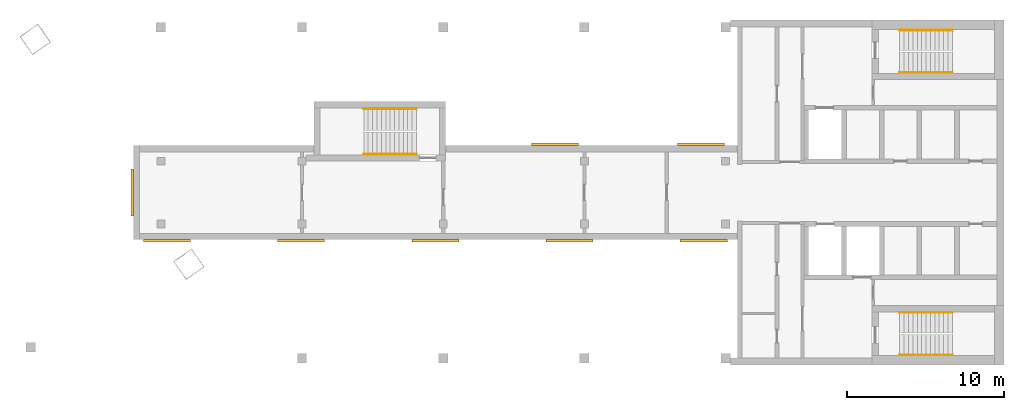
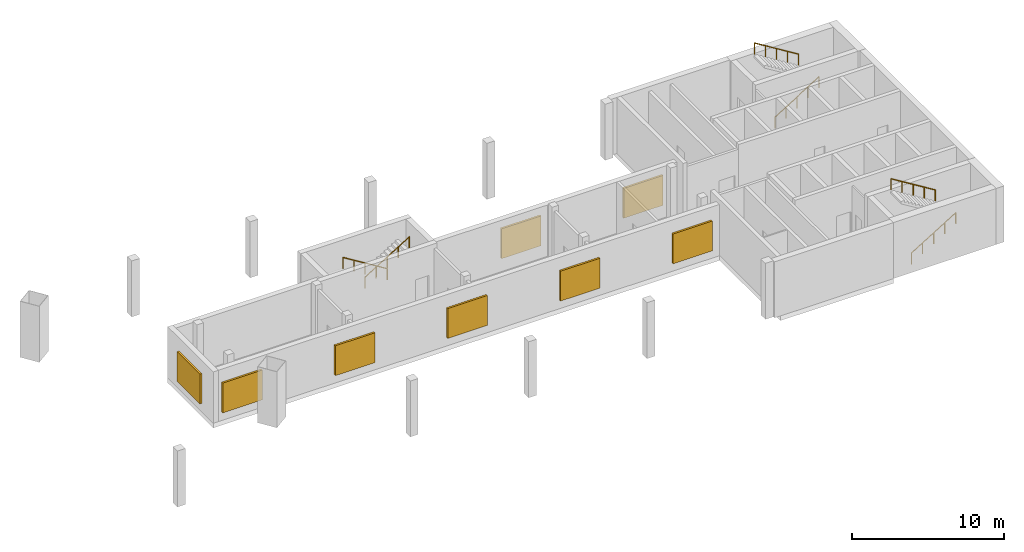
# One storey, part 4 of 4: 8 coverings, 6 railings.
"""IFC4 building model written with IfcOpenShell, lengths in metres."""

from ifc_helpers import new_model, si_unit, direction, frame, origin, origin_2d, place, context, subcontext, project, spatial, rectangle, circle, extrude, material, material_profile, profile_set, type_object, element, save


model = new_model("IFC4")

# Units and contexts
model_context = context("Model", 3, precision=1e-05, world=origin(), true_north=direction((0.0, 1.0)))
body_context = subcontext(model_context, "Body", "Model", "MODEL_VIEW")
ifc_project = project(units=[si_unit("LENGTHUNIT", "METRE"), si_unit("AREAUNIT", "SQUARE_METRE"), si_unit("VOLUMEUNIT", "CUBIC_METRE"), si_unit("PLANEANGLEUNIT", "RADIAN"), si_unit("MASSUNIT", "GRAM", prefix="KILO")], contexts=[model_context])

# Site, building, storey
site_placement = place(None, origin())
site = spatial("IfcSite", under=ifc_project, at=site_placement, CompositionType="ELEMENT")
building_placement = place(site_placement, origin())
building = spatial("IfcBuilding", under=site, at=building_placement, Name="Skarvind Civic Tower", CompositionType="ELEMENT")
storey_placement = place(building_placement, frame((0.0, 0.0, 286.5)))
storey = spatial("IfcBuildingStorey", under=building, at=storey_placement, Name="L68", CompositionType="ELEMENT", Elevation=286.5)

# Coverings
ifc_material_1 = material(Name="Anodised aluminium louvre", Category="aluminium")
ifc_material_profile = material_profile(ifc_material_1, rectangle(XDim=3.0, YDim=2.39990234375, at=origin_2d()), Name="LOUVRE 3000 x 2400")
ifc_profile_set = profile_set([ifc_material_profile], Name="Anodised aluminium louvre")
covering_type = type_object("IfcCoveringType", Name="LV1 PLANT LOUVRE 150", PredefinedType="CLADDING", material=ifc_profile_set)
for number, where, z_axis, x_axis, name in (
    (1, (52.5, 128.0, 1.89990234375), (-1.0, 0.0, 0.0), (0.0, -1.0, 0.0), "PLANT LOUVRE"),
    (2, (88.861083984375, 125.0, 1.89990234375), (0.0, -1.0, 0.0), (1.0, 0.0, 0.0), "PLANT LOUVRE"),
    (3, (80.305419921875, 125.0, 1.89990234375), (0.0, -1.0, 0.0), (1.0, 0.0, 0.0), "PLANT LOUVRE"),
    (4, (71.75, 125.0, 1.89990234375), (0.0, -1.0, 0.0), (1.0, 0.0, 0.0), "PLANT LOUVRE"),
    (5, (63.1943359375, 125.0, 1.89990234375), (0.0, -1.0, 0.0), (1.0, 0.0, 0.0), "PLANT LOUVRE"),
    (6, (54.638916015625, 125.0, 1.89990234375), (0.0, -1.0, 0.0), (1.0, 0.0, 0.0), "PLANT LOUVRE"),
    (7, (79.375, 131.0, 1.89990234375), (0.0, 1.0, 0.0), (-1.0, 0.0, 0.0), "PLANT LOUVRE"),
    (8, (88.675048828125, 131.0, 1.89990234375), (0.0, 1.0, 0.0), (-1.0, 0.0, 0.0), "PLANT LOUVRE"),
):
    element("IfcCovering", number, at=place(storey_placement, frame(where, z_axis=z_axis, x_axis=x_axis)), inside=storey, type_object=covering_type, Name=name, PredefinedType="CLADDING", context=body_context, shape_type="SweptSolid", body=[
        extrude(rectangle(XDim=3.0, YDim=2.39990234375, at=origin_2d()), origin(), (0.0, 0.0, 1.0), 0.14990234375),
    ])

# Railings
ifc_material_2 = material(Name="Painted steel handrail", Category="steel")
railing_type = type_object("IfcRailingType", Name="Stair handrail 900", PredefinedType="HANDRAIL", material=ifc_material_2)
railing_1_placement = place(storey_placement, frame((101.35009765625, 135.64990234375, 0.173095703125)))
element("IfcRailing", 9, at=railing_1_placement, inside=storey, type_object=railing_type, Name="Stair handrail", PredefinedType="HANDRAIL", context=body_context, shape_type="SweptSolid", body=[
    extrude(circle(Radius=0.02392578125, at=origin_2d()), frame((0.0, 0.0, 0.8759765625), z_axis=(0.850606129759, 0.0, 0.525803396734), x_axis=(0.0, 1.0, 0.0)), (0.0, 0.0, 1.0), 3.949951171875),
    extrude(circle(Radius=0.02099609375, at=origin_2d()), origin(), (0.0, 0.0, 1.0), 0.851806640625),
    extrude(circle(Radius=0.02099609375, at=origin_2d()), frame((0.83984375, 0.0, 0.519287109375)), (0.0, 0.0, 1.0), 0.851806640625),
    extrude(circle(Radius=0.02099609375, at=origin_2d()), frame((1.679931640625, 0.0, 1.03857421875)), (0.0, 0.0, 1.0), 0.851806640625),
    extrude(circle(Radius=0.02099609375, at=origin_2d()), frame((2.52001953125, 0.0, 1.5576171875)), (0.0, 0.0, 1.0), 0.851806640625),
    extrude(circle(Radius=0.02099609375, at=origin_2d()), frame((3.35986328125, 0.0, 2.076904296875)), (0.0, 0.0, 1.0), 0.851806640625),
])
railing_2_placement = place(storey_placement, frame((104.7099609375, 138.35009765625, 2.423095703125)))
element("IfcRailing", 10, at=railing_2_placement, inside=storey, type_object=railing_type, Name="Stair handrail", PredefinedType="HANDRAIL", context=body_context, shape_type="SweptSolid", body=[
    extrude(circle(Radius=0.02392578125, at=origin_2d()), frame((0.0, 0.0, 0.8759765625), z_axis=(-0.850606129759, 0.0, 0.525803396734), x_axis=(0.0, -1.0, 0.0)), (0.0, 0.0, 1.0), 3.949951171875),
    extrude(circle(Radius=0.02099609375, at=origin_2d()), origin(), (0.0, 0.0, 1.0), 0.851806640625),
    extrude(circle(Radius=0.02099609375, at=origin_2d()), frame((-0.83984375, 0.0, 0.519287109375)), (0.0, 0.0, 1.0), 0.851806640625),
    extrude(circle(Radius=0.02099609375, at=origin_2d()), frame((-1.679931640625, 0.0, 1.03857421875)), (0.0, 0.0, 1.0), 0.851806640625),
    extrude(circle(Radius=0.02099609375, at=origin_2d()), frame((-2.52001953125, 0.0, 1.5576171875)), (0.0, 0.0, 1.0), 0.851806640625),
    extrude(circle(Radius=0.02099609375, at=origin_2d()), frame((-3.35986328125, 0.0, 2.076904296875)), (0.0, 0.0, 1.0), 0.851806640625),
])
railing_3_placement = place(storey_placement, frame((101.35009765625, 117.64990234375, 0.173095703125)))
element("IfcRailing", 11, at=railing_3_placement, inside=storey, type_object=railing_type, Name="Stair handrail", PredefinedType="HANDRAIL", context=body_context, shape_type="SweptSolid", body=[
    extrude(circle(Radius=0.02392578125, at=origin_2d()), frame((0.0, 0.0, 0.8759765625), z_axis=(0.850606129759, 0.0, 0.525803396734), x_axis=(0.0, 1.0, 0.0)), (0.0, 0.0, 1.0), 3.949951171875),
    extrude(circle(Radius=0.02099609375, at=origin_2d()), origin(), (0.0, 0.0, 1.0), 0.851806640625),
    extrude(circle(Radius=0.02099609375, at=origin_2d()), frame((0.83984375, 0.0, 0.519287109375)), (0.0, 0.0, 1.0), 0.851806640625),
    extrude(circle(Radius=0.02099609375, at=origin_2d()), frame((1.679931640625, 0.0, 1.03857421875)), (0.0, 0.0, 1.0), 0.851806640625),
    extrude(circle(Radius=0.02099609375, at=origin_2d()), frame((2.52001953125, 0.0, 1.5576171875)), (0.0, 0.0, 1.0), 0.851806640625),
    extrude(circle(Radius=0.02099609375, at=origin_2d()), frame((3.35986328125, 0.0, 2.076904296875)), (0.0, 0.0, 1.0), 0.851806640625),
])
railing_4_placement = place(storey_placement, frame((104.7099609375, 120.35009765625, 2.423095703125)))
element("IfcRailing", 12, at=railing_4_placement, inside=storey, type_object=railing_type, Name="Stair handrail", PredefinedType="HANDRAIL", context=body_context, shape_type="SweptSolid", body=[
    extrude(circle(Radius=0.02392578125, at=origin_2d()), frame((0.0, 0.0, 0.8759765625), z_axis=(-0.850606129759, 0.0, 0.525803396734), x_axis=(0.0, -1.0, 0.0)), (0.0, 0.0, 1.0), 3.949951171875),
    extrude(circle(Radius=0.02099609375, at=origin_2d()), origin(), (0.0, 0.0, 1.0), 0.851806640625),
    extrude(circle(Radius=0.02099609375, at=origin_2d()), frame((-0.83984375, 0.0, 0.519287109375)), (0.0, 0.0, 1.0), 0.851806640625),
    extrude(circle(Radius=0.02099609375, at=origin_2d()), frame((-1.679931640625, 0.0, 1.03857421875)), (0.0, 0.0, 1.0), 0.851806640625),
    extrude(circle(Radius=0.02099609375, at=origin_2d()), frame((-2.52001953125, 0.0, 1.5576171875)), (0.0, 0.0, 1.0), 0.851806640625),
    extrude(circle(Radius=0.02099609375, at=origin_2d()), frame((-3.35986328125, 0.0, 2.076904296875)), (0.0, 0.0, 1.0), 0.851806640625),
])
railing_5_placement = place(storey_placement, frame((70.550048828125, 133.35009765625, 0.173095703125)))
element("IfcRailing", 13, at=railing_5_placement, inside=storey, type_object=railing_type, Name="Stair handrail", PredefinedType="HANDRAIL", context=body_context, shape_type="SweptSolid", body=[
    extrude(circle(Radius=0.02392578125, at=origin_2d()), frame((0.0, 0.0, 0.8759765625), z_axis=(-0.850623216509, 0.0, 0.525775754039), x_axis=(0.0, -1.0, 0.0)), (0.0, 0.0, 1.0), 3.9501953125),
    extrude(circle(Radius=0.02099609375, at=origin_2d()), origin(), (0.0, 0.0, 1.0), 0.851806640625),
    extrude(circle(Radius=0.02099609375, at=origin_2d()), frame((-0.840087890625, 0.0, 0.519287109375)), (0.0, 0.0, 1.0), 0.851806640625),
    extrude(circle(Radius=0.02099609375, at=origin_2d()), frame((-1.68017578125, 0.0, 1.03857421875)), (0.0, 0.0, 1.0), 0.851806640625),
    extrude(circle(Radius=0.02099609375, at=origin_2d()), frame((-2.52001953125, 0.0, 1.5576171875)), (0.0, 0.0, 1.0), 0.851806640625),
    extrude(circle(Radius=0.02099609375, at=origin_2d()), frame((-3.360107421875, 0.0, 2.076904296875)), (0.0, 0.0, 1.0), 0.851806640625),
])
railing_6_placement = place(storey_placement, frame((67.18994140625, 130.449951171875, 2.423095703125)))
element("IfcRailing", 14, at=railing_6_placement, inside=storey, type_object=railing_type, Name="Stair handrail", PredefinedType="HANDRAIL", context=body_context, shape_type="SweptSolid", body=[
    extrude(circle(Radius=0.02392578125, at=origin_2d()), frame((0.0, 0.0, 0.8759765625), z_axis=(0.850623216509, 0.0, 0.525775754039), x_axis=(0.0, 1.0, 0.0)), (0.0, 0.0, 1.0), 3.9501953125),
    extrude(circle(Radius=0.02099609375, at=origin_2d()), origin(), (0.0, 0.0, 1.0), 0.851806640625),
    extrude(circle(Radius=0.02099609375, at=origin_2d()), frame((0.840087890625, 0.0, 0.519287109375)), (0.0, 0.0, 1.0), 0.851806640625),
    extrude(circle(Radius=0.02099609375, at=origin_2d()), frame((1.68017578125, 0.0, 1.03857421875)), (0.0, 0.0, 1.0), 0.851806640625),
    extrude(circle(Radius=0.02099609375, at=origin_2d()), frame((2.52001953125, 0.0, 1.5576171875)), (0.0, 0.0, 1.0), 0.851806640625),
    extrude(circle(Radius=0.02099609375, at=origin_2d()), frame((3.360107421875, 0.0, 2.076904296875)), (0.0, 0.0, 1.0), 0.851806640625),
])

save(model, "model.ifc")
